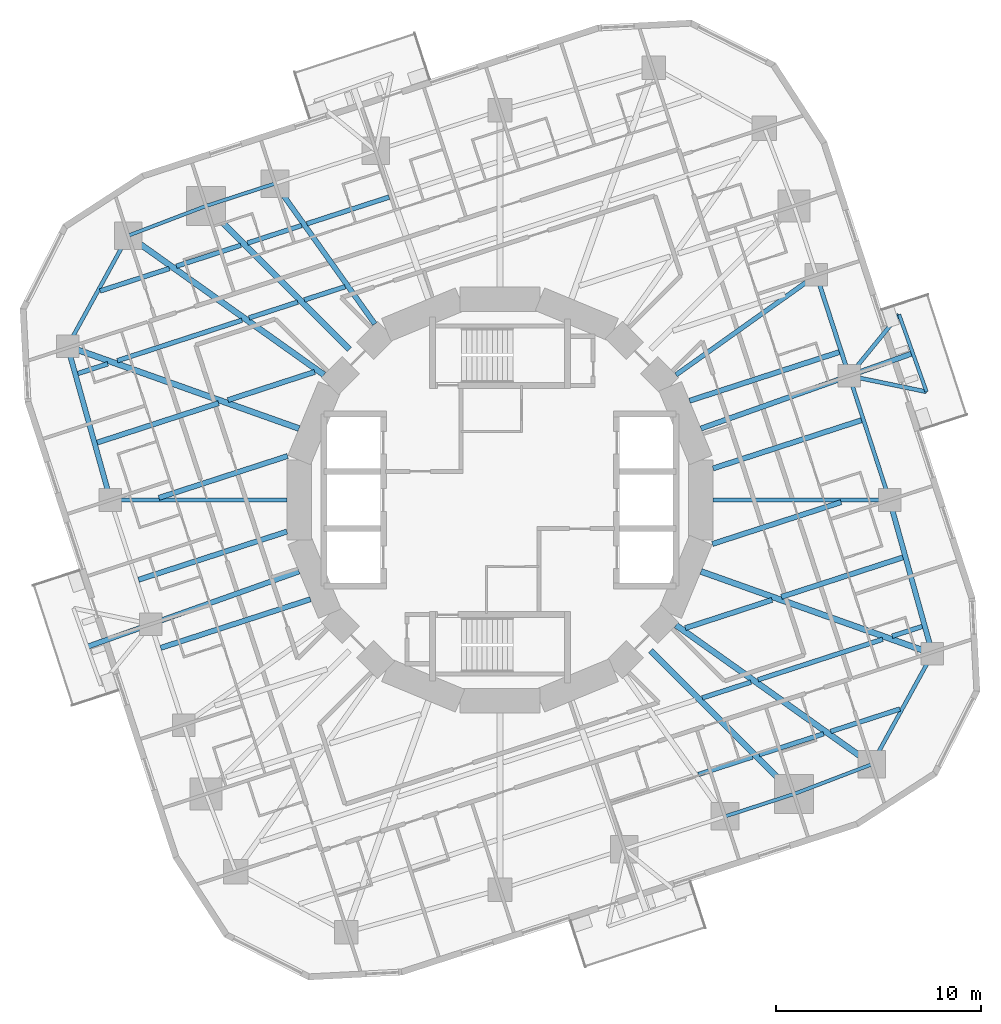
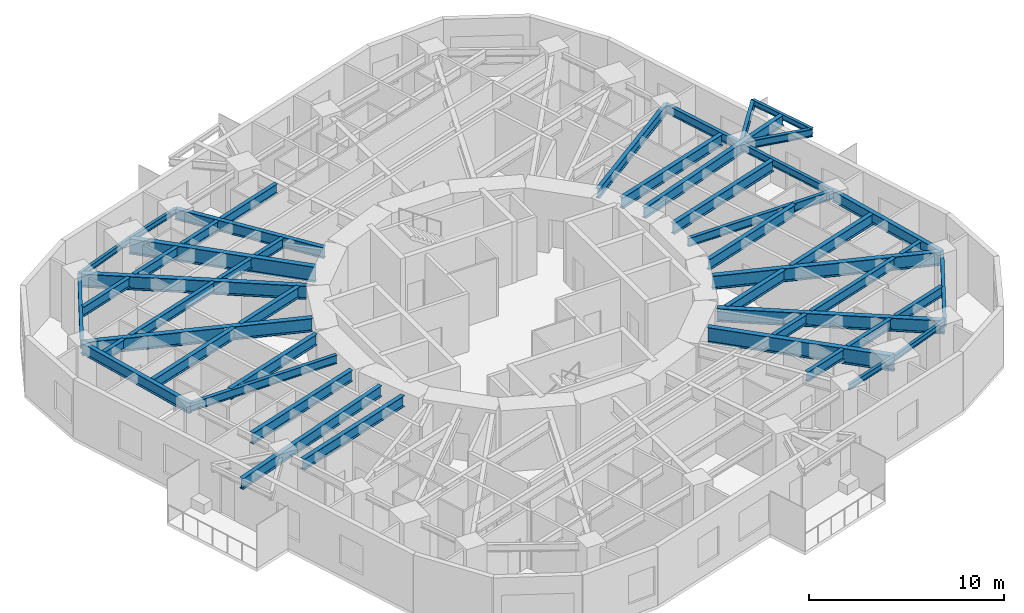
# One storey, part 2 of 13: 49 beams.
"""IFC4 building model written with IfcOpenShell, lengths in metres."""

from ifc_helpers import new_model, si_unit, direction, frame, origin, origin_2d, place, context, subcontext, project, spatial, i_section, extrude, material, material_profile, profile_set, type_object, element, save


model = new_model("IFC4")

# Units and contexts
model_context = context("Model", 3, precision=1e-05, world=origin(), true_north=direction((0.0, 1.0)))
body_context = subcontext(model_context, "Body", "Model", "MODEL_VIEW")
ifc_project = project(units=[si_unit("LENGTHUNIT", "METRE"), si_unit("AREAUNIT", "SQUARE_METRE"), si_unit("VOLUMEUNIT", "CUBIC_METRE"), si_unit("PLANEANGLEUNIT", "RADIAN"), si_unit("MASSUNIT", "GRAM", prefix="KILO")], contexts=[model_context])

# Site, building, storey
site_placement = place(None, origin())
site = spatial("IfcSite", under=ifc_project, at=site_placement, CompositionType="ELEMENT")
building_placement = place(site_placement, origin())
building = spatial("IfcBuilding", under=site, at=building_placement, Name="Nakasero Lantern House", CompositionType="ELEMENT")
storey_placement = place(building_placement, frame((0.0, 0.0, 157.199951171875)))
storey = spatial("IfcBuildingStorey", under=building, at=storey_placement, Name="L38", CompositionType="ELEMENT", Elevation=157.199951171875)

# Beams
ifc_material_1 = material(Name="Steel S355", Category="steel")
ifc_material_profile_1 = material_profile(ifc_material_1, i_section(OverallWidth=0.199462890625, OverallDepth=0.491943359375, WebThickness=0.01806640625, FlangeThickness=0.031982421875, FilletRadius=0.01025390625, at=origin_2d()), Name="UB 457x191x161")
ifc_profile_set_1 = profile_set([ifc_material_profile_1], Name="Steel S355")
beam_type_1 = type_object("IfcBeamType", Name="Balcony splay beam UB 457x191x161", PredefinedType="BEAM", material=ifc_profile_set_1)
for number, where, z_axis, x_axis, name in (
    (1, (17.060546875, 6.06591796875, 3.404052734375), (0.632127727159, 0.774864205236, 0.0), (-0.774864205236, 0.632127727159, 0.0), "Balcony splay beam L39 B4-C04A"),
    (2, (17.060546875, 6.06591796875, 3.404052734375), (0.979420272605, -0.201831438605, 0.0), (0.201831438605, 0.979420272605, 0.0), "Balcony splay beam L39 B4-C04B"),
):
    element("IfcBeam", number, at=place(storey_placement, frame(where, z_axis=z_axis, x_axis=x_axis)), inside=storey, type_object=beam_type_1, Name=name, PredefinedType="BEAM", context=body_context, shape_type="SweptSolid", body=[
        extrude(i_section(OverallWidth=0.199462890625, OverallDepth=0.491943359375, WebThickness=0.01806640625, FlangeThickness=0.031982421875, FilletRadius=0.01025390625, at=origin_2d()), origin(), (0.0, 0.0, 1.0), 3.858642578125),
    ])
ifc_material_2 = material(Name="Steel S355", Category="steel")
ifc_material_profile_2 = material_profile(ifc_material_2, i_section(OverallWidth=0.17138671875, OverallDepth=0.35498046875, WebThickness=0.00732421875, FlangeThickness=0.011474609375, FilletRadius=0.01025390625, at=origin_2d()), Name="UB 356x171x51")
ifc_profile_set_2 = profile_set([ifc_material_profile_2], Name="Steel S355")
beam_type_2 = type_object("IfcBeamType", Name="Balcony tie beam UB 356x171x51", PredefinedType="BEAM", material=ifc_profile_set_2)
beam_1_placement = place(storey_placement, frame((19.499755859375, 9.055908203125, 3.47265625), z_axis=(0.335025321236, -0.942209124415, 0.0), x_axis=(0.942209124415, 0.335025321236, 0.0)))
element("IfcBeam", 3, at=beam_1_placement, inside=storey, type_object=beam_type_2, Name="Balcony tie beam L39 B4-C04", PredefinedType="BEAM", context=body_context, shape_type="SweptSolid", body=[
    extrude(i_section(OverallWidth=0.17138671875, OverallDepth=0.35498046875, WebThickness=0.00732421875, FlangeThickness=0.011474609375, FilletRadius=0.01025390625, at=origin_2d()), origin(), (0.0, 0.0, 1.0), 4.0),
])
ifc_material_3 = material(Name="Steel S355", Category="steel")
ifc_material_profile_3 = material_profile(ifc_material_3, i_section(OverallWidth=0.22900390625, OverallDepth=0.6123046875, WebThickness=0.011962890625, FlangeThickness=0.01953125, FilletRadius=0.0126953125, at=origin_2d()), Name="UB 610x229x125")
ifc_profile_set_3 = profile_set([ifc_material_profile_3], Name="Steel S355")
beam_type_3 = type_object("IfcBeamType", Name="Infill beam UB 610x229x125", PredefinedType="JOIST", material=ifc_profile_set_3)
beam_2_placement = place(storey_placement, frame((9.692626953125, -13.4111328125, 3.343994140625), z_axis=(0.951059855583, 0.309006716915, 0.0), x_axis=(-0.309006716915, 0.951059855583, 0.0)))
element("IfcBeam", 4, at=beam_2_placement, inside=storey, type_object=beam_type_3, Name="Infill beam L39 03.5", PredefinedType="JOIST", context=body_context, shape_type="SweptSolid", body=[
    extrude(i_section(OverallWidth=0.22900390625, OverallDepth=0.6123046875, WebThickness=0.011962890625, FlangeThickness=0.01953125, FilletRadius=0.0126953125, at=origin_2d()), origin(), (0.0, 0.0, 1.0), 2.78271484375),
])
beam_3_placement = place(storey_placement, frame((12.659423828125, -12.447265625, 3.343994140625), z_axis=(0.951057343237, 0.309014449297, 0.0), x_axis=(-0.309014449297, 0.951057343237, 0.0)))
element("IfcBeam", 5, at=beam_3_placement, inside=storey, type_object=beam_type_3, Name="Infill beam L39 03.6", PredefinedType="JOIST", context=body_context, shape_type="SweptSolid", body=[
    extrude(i_section(OverallWidth=0.22900390625, OverallDepth=0.6123046875, WebThickness=0.011962890625, FlangeThickness=0.01953125, FilletRadius=0.0126953125, at=origin_2d()), origin(), (0.0, 0.0, 1.0), 3.314208984375),
])
beam_4_placement = place(storey_placement, frame((16.15771484375, -11.310546875, 3.343994140625), z_axis=(0.951052231022, 0.309030182777, 0.0), x_axis=(-0.309030182777, 0.951052231022, 0.0)))
element("IfcBeam", 6, at=beam_4_placement, inside=storey, type_object=beam_type_3, Name="Infill beam L39 03.7", PredefinedType="JOIST", context=body_context, shape_type="SweptSolid", body=[
    extrude(i_section(OverallWidth=0.22900390625, OverallDepth=0.6123046875, WebThickness=0.011962890625, FlangeThickness=0.01953125, FilletRadius=0.0126953125, at=origin_2d()), origin(), (0.0, 0.0, 1.0), 3.555908203125),
])
beam_5_placement = place(storey_placement, frame((9.8818359375, -9.669677734375, 3.343994140625), z_axis=(0.95105846813, 0.30901098718, 0.0), x_axis=(-0.30901098718, 0.95105846813, 0.0)))
element("IfcBeam", 7, at=beam_5_placement, inside=storey, type_object=beam_type_3, Name="Infill beam L39 04.6", PredefinedType="JOIST", context=body_context, shape_type="SweptSolid", body=[
    extrude(i_section(OverallWidth=0.22900390625, OverallDepth=0.6123046875, WebThickness=0.011962890625, FlangeThickness=0.01953125, FilletRadius=0.0126953125, at=origin_2d()), origin(), (0.0, 0.0, 1.0), 2.499755859375),
])
beam_6_placement = place(storey_placement, frame((12.605712890625, -8.78466796875, 3.343994140625), z_axis=(0.951048625867, 0.309041277561, 0.0), x_axis=(-0.309041277561, 0.951048625867, 0.0)))
element("IfcBeam", 8, at=beam_6_placement, inside=storey, type_object=beam_type_3, Name="Infill beam L39 04.7", PredefinedType="JOIST", context=body_context, shape_type="SweptSolid", body=[
    extrude(i_section(OverallWidth=0.22900390625, OverallDepth=0.6123046875, WebThickness=0.011962890625, FlangeThickness=0.01953125, FilletRadius=0.0126953125, at=origin_2d()), origin(), (0.0, 0.0, 1.0), 6.408447265625),
])
for number, where, z_axis, x_axis, name in (
    (9, (19.156494140625, -6.656005859375, 3.343994140625), (0.95105845859, 0.309011016544, 0.0), (-0.309011016544, 0.95105845859, 0.0), "Infill beam L39 04.8"),
    (10, (-20.62548828125, 6.1787109375, 3.343994140625), (0.95105845859, 0.309011016544, 0.0), (-0.309011016544, 0.95105845859, 0.0), "Infill beam L39 11.1"),
):
    element("IfcBeam", number, at=place(storey_placement, frame(where, z_axis=z_axis, x_axis=x_axis)), inside=storey, type_object=beam_type_3, Name=name, PredefinedType="JOIST", context=body_context, shape_type="SweptSolid", body=[
        extrude(i_section(OverallWidth=0.22900390625, OverallDepth=0.6123046875, WebThickness=0.011962890625, FlangeThickness=0.01953125, FilletRadius=0.0126953125, at=origin_2d()), origin(), (0.0, 0.0, 1.0), 1.544677734375),
    ])
beam_7_placement = place(storey_placement, frame((-18.700439453125, 6.80419921875, 3.343994140625), z_axis=(0.951048625867, 0.309041277561, 0.0), x_axis=(-0.309041277561, 0.951048625867, 0.0)))
element("IfcBeam", 11, at=beam_7_placement, inside=storey, type_object=beam_type_3, Name="Infill beam L39 11.2", PredefinedType="JOIST", context=body_context, shape_type="SweptSolid", body=[
    extrude(i_section(OverallWidth=0.22900390625, OverallDepth=0.6123046875, WebThickness=0.011962890625, FlangeThickness=0.01953125, FilletRadius=0.0126953125, at=origin_2d()), origin(), (0.0, 0.0, 1.0), 6.408447265625),
])
beam_8_placement = place(storey_placement, frame((-12.25927734375, 8.897216796875, 3.343994140625), z_axis=(0.95105846813, 0.30901098718, 0.0), x_axis=(-0.30901098718, 0.95105846813, 0.0)))
element("IfcBeam", 12, at=beam_8_placement, inside=storey, type_object=beam_type_3, Name="Infill beam L39 11.3", PredefinedType="JOIST", context=body_context, shape_type="SweptSolid", body=[
    extrude(i_section(OverallWidth=0.22900390625, OverallDepth=0.6123046875, WebThickness=0.011962890625, FlangeThickness=0.01953125, FilletRadius=0.0126953125, at=origin_2d()), origin(), (0.0, 0.0, 1.0), 2.499755859375),
])
beam_9_placement = place(storey_placement, frame((-9.5615234375, 9.773681640625, 3.343994140625), z_axis=(0.951053739923, 0.30902553904, 0.0), x_axis=(-0.30902553904, 0.951053739923, 0.0)))
element("IfcBeam", 13, at=beam_9_placement, inside=storey, type_object=beam_type_3, Name="Infill beam L39 11.4", PredefinedType="JOIST", context=body_context, shape_type="SweptSolid", body=[
    extrude(i_section(OverallWidth=0.22900390625, OverallDepth=0.6123046875, WebThickness=0.011962890625, FlangeThickness=0.01953125, FilletRadius=0.0126953125, at=origin_2d()), origin(), (0.0, 0.0, 1.0), 2.09765625),
])
beam_10_placement = place(storey_placement, frame((-19.53955078125, 10.211669921875, 3.343994140625), z_axis=(0.951052231022, 0.309030182777, 0.0), x_axis=(-0.309030182777, 0.951052231022, 0.0)))
element("IfcBeam", 14, at=beam_10_placement, inside=storey, type_object=beam_type_3, Name="Infill beam L39 12.1", PredefinedType="JOIST", context=body_context, shape_type="SweptSolid", body=[
    extrude(i_section(OverallWidth=0.22900390625, OverallDepth=0.6123046875, WebThickness=0.011962890625, FlangeThickness=0.01953125, FilletRadius=0.0126953125, at=origin_2d()), origin(), (0.0, 0.0, 1.0), 3.555908203125),
])
beam_11_placement = place(storey_placement, frame((-15.8115234375, 11.423095703125, 3.343994140625), z_axis=(0.951057343237, 0.309014449297, 0.0), x_axis=(-0.309014449297, 0.951057343237, 0.0)))
element("IfcBeam", 15, at=beam_11_placement, inside=storey, type_object=beam_type_3, Name="Infill beam L39 12.2", PredefinedType="JOIST", context=body_context, shape_type="SweptSolid", body=[
    extrude(i_section(OverallWidth=0.22900390625, OverallDepth=0.6123046875, WebThickness=0.011962890625, FlangeThickness=0.01953125, FilletRadius=0.0126953125, at=origin_2d()), origin(), (0.0, 0.0, 1.0), 3.314208984375),
])
beam_12_placement = place(storey_placement, frame((-12.339111328125, 12.55126953125, 3.343994140625), z_axis=(0.951059855583, 0.309006716915, 0.0), x_axis=(-0.309006716915, 0.951059855583, 0.0)))
element("IfcBeam", 16, at=beam_12_placement, inside=storey, type_object=beam_type_3, Name="Infill beam L39 12.3", PredefinedType="JOIST", context=body_context, shape_type="SweptSolid", body=[
    extrude(i_section(OverallWidth=0.22900390625, OverallDepth=0.6123046875, WebThickness=0.011962890625, FlangeThickness=0.01953125, FilletRadius=0.0126953125, at=origin_2d()), origin(), (0.0, 0.0, 1.0), 2.78271484375),
])
beam_13_placement = place(storey_placement, frame((-9.439697265625, 13.493408203125, 3.343994140625), z_axis=(0.951057398427, 0.30901427944, 0.0), x_axis=(-0.30901427944, 0.951057398427, 0.0)))
element("IfcBeam", 17, at=beam_13_placement, inside=storey, type_object=beam_type_3, Name="Infill beam L39 12.4", PredefinedType="JOIST", context=body_context, shape_type="SweptSolid", body=[
    extrude(i_section(OverallWidth=0.22900390625, OverallDepth=0.6123046875, WebThickness=0.011962890625, FlangeThickness=0.01953125, FilletRadius=0.0126953125, at=origin_2d()), origin(), (0.0, 0.0, 1.0), 4.229248046875),
])
ifc_material_4 = material(Name="Steel S355", Category="steel")
ifc_material_profile_4 = material_profile(ifc_material_4, i_section(OverallWidth=0.253662109375, OverallDepth=0.68359375, WebThickness=0.012451171875, FlangeThickness=0.01904296875, FilletRadius=0.01513671875, at=origin_2d()), Name="UB 686x254x140")
ifc_profile_set_4 = profile_set([ifc_material_profile_4], Name="Steel S355")
beam_type_4 = type_object("IfcBeamType", Name="Infill beam UB 686x254x140", PredefinedType="JOIST", material=ifc_profile_set_4)
beam_14_placement = place(storey_placement, frame((9.053466796875, -6.258544921875, 3.308349609375), z_axis=(0.951065863794, 0.308988224251, 0.0), x_axis=(-0.308988224251, 0.951065863794, 0.0)))
element("IfcBeam", 18, at=beam_14_placement, inside=storey, type_object=beam_type_4, Name="Infill beam L39 05.3", PredefinedType="JOIST", context=body_context, shape_type="SweptSolid", body=[
    extrude(i_section(OverallWidth=0.253662109375, OverallDepth=0.68359375, WebThickness=0.012451171875, FlangeThickness=0.01904296875, FilletRadius=0.01513671875, at=origin_2d()), origin(), (0.0, 0.0, 1.0), 4.45703125),
])
beam_15_placement = place(storey_placement, frame((13.74853515625, -4.733154296875, 3.308349609375), z_axis=(0.951058217804, 0.30901175762, 0.0), x_axis=(-0.30901175762, 0.951058217804, 0.0)))
element("IfcBeam", 19, at=beam_15_placement, inside=storey, type_object=beam_type_4, Name="Infill beam L39 05.4", PredefinedType="JOIST", context=body_context, shape_type="SweptSolid", body=[
    extrude(i_section(OverallWidth=0.253662109375, OverallDepth=0.68359375, WebThickness=0.012451171875, FlangeThickness=0.01904296875, FilletRadius=0.01513671875, at=origin_2d()), origin(), (0.0, 0.0, 1.0), 6.239990234375),
])
for number, where, z_axis, x_axis, name in (
    (20, (10.375244140625, -2.149169921875, 3.308349609375), (0.951051425994, 0.309032660271, 0.0), (-0.309032660271, 0.951051425994, 0.0), "Infill beam L39 06.2"),
    (21, (-16.666259765625, 0.10498046875, 3.308349609375), (0.951051425994, 0.309032660271, 0.0), (-0.309032660271, 0.951051425994, 0.0), "Infill beam L39 09.1"),
):
    element("IfcBeam", number, at=place(storey_placement, frame(where, z_axis=z_axis, x_axis=x_axis)), inside=storey, type_object=beam_type_4, Name=name, PredefinedType="JOIST", context=body_context, shape_type="SweptSolid", body=[
        extrude(i_section(OverallWidth=0.253662109375, OverallDepth=0.68359375, WebThickness=0.012451171875, FlangeThickness=0.01904296875, FilletRadius=0.01513671875, at=origin_2d()), origin(), (0.0, 0.0, 1.0), 6.61474609375),
    ])
beam_16_placement = place(storey_placement, frame((-19.68310546875, 2.804931640625, 3.308349609375), z_axis=(0.951058217804, 0.30901175762, 0.0), x_axis=(-0.30901175762, 0.951058217804, 0.0)))
element("IfcBeam", 22, at=beam_16_placement, inside=storey, type_object=beam_type_4, Name="Infill beam L39 10.1", PredefinedType="JOIST", context=body_context, shape_type="SweptSolid", body=[
    extrude(i_section(OverallWidth=0.253662109375, OverallDepth=0.68359375, WebThickness=0.012451171875, FlangeThickness=0.01904296875, FilletRadius=0.01513671875, at=origin_2d()), origin(), (0.0, 0.0, 1.0), 6.239990234375),
])
beam_17_placement = place(storey_placement, frame((-13.29248046875, 4.88134765625, 3.308349609375), z_axis=(0.951065863794, 0.308988224251, 0.0), x_axis=(-0.308988224251, 0.951065863794, 0.0)))
element("IfcBeam", 23, at=beam_17_placement, inside=storey, type_object=beam_type_4, Name="Infill beam L39 10.2", PredefinedType="JOIST", context=body_context, shape_type="SweptSolid", body=[
    extrude(i_section(OverallWidth=0.253662109375, OverallDepth=0.68359375, WebThickness=0.012451171875, FlangeThickness=0.01904296875, FilletRadius=0.01513671875, at=origin_2d()), origin(), (0.0, 0.0, 1.0), 4.45703125),
])
ifc_material_5 = material(Name="Steel S355", Category="steel")
ifc_material_profile_5 = material_profile(ifc_material_5, i_section(OverallWidth=0.255859375, OverallDepth=0.69287109375, WebThickness=0.014404296875, FlangeThickness=0.023681640625, FilletRadius=0.01513671875, at=origin_2d()), Name="UB 686x254x170")
ifc_profile_set_5 = profile_set([ifc_material_profile_5], Name="Steel S355")
beam_type_5 = type_object("IfcBeamType", Name="Infill beam UB 686x254x170", PredefinedType="JOIST", material=ifc_profile_set_5)
beam_18_placement = place(storey_placement, frame((-16.573486328125, -7.22509765625, 3.3037109375), z_axis=(0.951055290106, 0.309020768171, 0.0), x_axis=(-0.309020768171, 0.951055290106, 0.0)))
element("IfcBeam", 24, at=beam_18_placement, inside=storey, type_object=beam_type_5, Name="Infill beam L39 07.1", PredefinedType="JOIST", context=body_context, shape_type="SweptSolid", body=[
    extrude(i_section(OverallWidth=0.255859375, OverallDepth=0.69287109375, WebThickness=0.014404296875, FlangeThickness=0.023681640625, FilletRadius=0.01513671875, at=origin_2d()), origin(), (0.0, 0.0, 1.0), 7.692626953125),
])
for number, where, z_axis, x_axis, name in (
    (25, (10.407958984375, 1.541748046875, 3.3037109375), (0.95106204683, 0.308999972622, 0.0), (-0.308999972622, 0.95106204683, 0.0), "Infill beam L39 07.2"),
    (26, (-17.66455078125, -3.8994140625, 3.3037109375), (0.95106204683, 0.308999972622, 0.0), (-0.308999972622, 0.95106204683, 0.0), "Infill beam L39 08.1"),
):
    element("IfcBeam", number, at=place(storey_placement, frame(where, z_axis=z_axis, x_axis=x_axis)), inside=storey, type_object=beam_type_5, Name=name, PredefinedType="JOIST", context=body_context, shape_type="SweptSolid", body=[
        extrude(i_section(OverallWidth=0.255859375, OverallDepth=0.69287109375, WebThickness=0.014404296875, FlangeThickness=0.023681640625, FilletRadius=0.01513671875, at=origin_2d()), origin(), (0.0, 0.0, 1.0), 7.6298828125),
    ])
beam_19_placement = place(storey_placement, frame((9.25732421875, 4.847900390625, 3.3037109375), z_axis=(0.951055290106, 0.309020768171, 0.0), x_axis=(-0.309020768171, 0.951055290106, 0.0)))
element("IfcBeam", 27, at=beam_19_placement, inside=storey, type_object=beam_type_5, Name="Infill beam L39 08.2", PredefinedType="JOIST", context=body_context, shape_type="SweptSolid", body=[
    extrude(i_section(OverallWidth=0.255859375, OverallDepth=0.69287109375, WebThickness=0.014404296875, FlangeThickness=0.023681640625, FilletRadius=0.01513671875, at=origin_2d()), origin(), (0.0, 0.0, 1.0), 7.692626953125),
])
ifc_material_6 = material(Name="Steel S355", Category="steel")
ifc_material_profile_6 = material_profile(ifc_material_6, i_section(OverallWidth=0.300048828125, OverallDepth=0.97021484375, WebThickness=0.01611328125, FlangeThickness=0.02099609375, FilletRadius=0.030029296875, at=origin_2d()), Name="UB 1016x305x222")
ifc_profile_set_6 = profile_set([ifc_material_profile_6], Name="Steel S355")
beam_type_6 = type_object("IfcBeamType", Name="Primary beam UB 1016x305x222, span 9 to 12 m", PredefinedType="BEAM", material=ifc_profile_set_6)
for number, where, z_axis, x_axis, name in (
    (28, (-14.3642578125, 14.3642578125, 3.164794921875), (0.707106781187, -0.707106781187, 0.0), (0.707106781187, 0.707106781187, 0.0), "Primary beam L39 B4-C12"),
    (29, (14.3642578125, -14.3642578125, 3.164794921875), (-0.707106781187, 0.707106781187, 0.0), (-0.707106781187, -0.707106781187, 0.0), "Primary beam L39 B4-C24"),
):
    element("IfcBeam", number, at=place(storey_placement, frame(where, z_axis=z_axis, x_axis=x_axis)), inside=storey, type_object=beam_type_6, Name=name, PredefinedType="BEAM", context=body_context, shape_type="SweptSolid", body=[
        extrude(i_section(OverallWidth=0.300048828125, OverallDepth=0.97021484375, WebThickness=0.01611328125, FlangeThickness=0.02099609375, FilletRadius=0.030029296875, at=origin_2d()), origin(), (0.0, 0.0, 1.0), 9.906494140625),
    ])
ifc_material_7 = material(Name="Steel S355", Category="steel")
ifc_material_profile_7 = material_profile(ifc_material_7, i_section(OverallWidth=0.2099609375, OverallDepth=0.53662109375, WebThickness=0.0107421875, FlangeThickness=0.017333984375, FilletRadius=0.0126953125, at=origin_2d()), Name="UB 533x210x101")
ifc_profile_set_7 = profile_set([ifc_material_profile_7], Name="Steel S355")
beam_type_7 = type_object("IfcBeamType", Name="Primary beam UB 533x210x101, span 6 to 9 m", PredefinedType="BEAM", material=ifc_profile_set_7)
for number, where, z_axis, x_axis, name in (
    (30, (19.031494140625, 0.0, 3.381591796875), (-1.0, 0.0, 0.0), (0.0, -1.0, 0.0), "Primary beam L39 B4-C03"),
    (31, (-19.031494140625, 0.0, 3.381591796875), (1.0, 0.0, 0.0), (0.0, 1.0, 0.0), "Primary beam L39 B4-C15"),
):
    element("IfcBeam", number, at=place(storey_placement, frame(where, z_axis=z_axis, x_axis=x_axis)), inside=storey, type_object=beam_type_7, Name=name, PredefinedType="BEAM", context=body_context, shape_type="SweptSolid", body=[
        extrude(i_section(OverallWidth=0.2099609375, OverallDepth=0.53662109375, WebThickness=0.0107421875, FlangeThickness=0.017333984375, FilletRadius=0.0126953125, at=origin_2d()), origin(), (0.0, 0.0, 1.0), 8.62353515625),
    ])
ifc_material_8 = material(Name="Steel S355", Category="steel")
ifc_material_profile_8 = material_profile(ifc_material_8, i_section(OverallWidth=0.22900390625, OverallDepth=0.6123046875, WebThickness=0.011962890625, FlangeThickness=0.01953125, FilletRadius=0.0126953125, at=origin_2d()), Name="UB 610x229x125")
ifc_profile_set_8 = profile_set([ifc_material_profile_8], Name="Steel S355")
beam_type_8 = type_object("IfcBeamType", Name="Primary beam UB 610x229x125, span 6 to 9 m", PredefinedType="BEAM", material=ifc_profile_set_8)
beam_20_placement = place(storey_placement, frame((15.45947265625, 10.993408203125, 3.343994140625), z_axis=(-0.81495106139, -0.579529781409, 0.0), x_axis=(0.579529781409, -0.81495106139, 0.0)))
element("IfcBeam", 32, at=beam_20_placement, inside=storey, type_object=beam_type_8, Name="Primary beam L39 B4-C05", PredefinedType="BEAM", context=body_context, shape_type="SweptSolid", body=[
    extrude(i_section(OverallWidth=0.22900390625, OverallDepth=0.6123046875, WebThickness=0.011962890625, FlangeThickness=0.01953125, FilletRadius=0.0126953125, at=origin_2d()), origin(), (0.0, 0.0, 1.0), 8.41455078125),
])
ifc_material_9 = material(Name="Steel S355", Category="steel")
ifc_material_profile_9 = material_profile(ifc_material_9, i_section(OverallWidth=0.253662109375, OverallDepth=0.68359375, WebThickness=0.012451171875, FlangeThickness=0.01904296875, FilletRadius=0.01513671875, at=origin_2d()), Name="UB 686x254x140")
ifc_profile_set_9 = profile_set([ifc_material_profile_9], Name="Steel S355")
beam_type_9 = type_object("IfcBeamType", Name="Primary beam UB 686x254x140, span 6 to 9 m", PredefinedType="BEAM", material=ifc_profile_set_9)
beam_21_placement = place(storey_placement, frame((20.169921875, 7.17138671875, 3.308349609375), z_axis=(-0.942215625619, -0.335007036998, 0.0), x_axis=(0.335007036998, -0.942215625619, 0.0)))
element("IfcBeam", 33, at=beam_21_placement, inside=storey, type_object=beam_type_9, Name="Primary beam L39 B4-C04", PredefinedType="BEAM", context=body_context, shape_type="SweptSolid", body=[
    extrude(i_section(OverallWidth=0.253662109375, OverallDepth=0.68359375, WebThickness=0.012451171875, FlangeThickness=0.01904296875, FilletRadius=0.01513671875, at=origin_2d()), origin(), (0.0, 0.0, 1.0), 10.9853515625),
])
beam_22_placement = place(storey_placement, frame((-10.993408203125, 15.45947265625, 3.308349609375), z_axis=(0.579529781409, -0.81495106139, 0.0), x_axis=(0.81495106139, 0.579529781409, 0.0)))
element("IfcBeam", 34, at=beam_22_placement, inside=storey, type_object=beam_type_9, Name="Primary beam L39 B4-C11", PredefinedType="BEAM", context=body_context, shape_type="SweptSolid", body=[
    extrude(i_section(OverallWidth=0.253662109375, OverallDepth=0.68359375, WebThickness=0.012451171875, FlangeThickness=0.01904296875, FilletRadius=0.01513671875, at=origin_2d()), origin(), (0.0, 0.0, 1.0), 8.41455078125),
])
beam_23_placement = place(storey_placement, frame((-20.169921875, -7.17138671875, 3.308349609375), z_axis=(0.942215625619, 0.335007036998, 0.0), x_axis=(-0.335007036998, 0.942215625619, 0.0)))
element("IfcBeam", 35, at=beam_23_placement, inside=storey, type_object=beam_type_9, Name="Primary beam L39 B4-C16", PredefinedType="BEAM", context=body_context, shape_type="SweptSolid", body=[
    extrude(i_section(OverallWidth=0.253662109375, OverallDepth=0.68359375, WebThickness=0.012451171875, FlangeThickness=0.01904296875, FilletRadius=0.01513671875, at=origin_2d()), origin(), (0.0, 0.0, 1.0), 10.9853515625),
])
ifc_material_10 = material(Name="Steel S355", Category="steel")
ifc_material_profile_10 = material_profile(ifc_material_10, i_section(OverallWidth=0.29248046875, OverallDepth=0.8408203125, WebThickness=0.0146484375, FlangeThickness=0.02685546875, FilletRadius=0.017822265625, at=origin_2d()), Name="UB 838x292x194")
ifc_profile_set_10 = profile_set([ifc_material_profile_10], Name="Steel S355")
beam_type_10 = type_object("IfcBeamType", Name="Primary beam UB 838x292x194, span 12 to 15 m", PredefinedType="BEAM", material=ifc_profile_set_10)
for number, where, z_axis, x_axis, name in (
    (36, (21.129638671875, -7.5126953125, 3.229736328125), (-0.942213548974, 0.335012877559, 0.0), (-0.335012877559, -0.942213548974, 0.0), "Primary beam L39 B4-C02"),
    (37, (-21.129638671875, 7.5126953125, 3.229736328125), (0.942213548974, -0.335012877559, 0.0), (0.335012877559, 0.942213548974, 0.0), "Primary beam L39 B4-C14"),
):
    element("IfcBeam", number, at=place(storey_placement, frame(where, z_axis=z_axis, x_axis=x_axis)), inside=storey, type_object=beam_type_10, Name=name, PredefinedType="BEAM", context=body_context, shape_type="SweptSolid", body=[
        extrude(i_section(OverallWidth=0.29248046875, OverallDepth=0.8408203125, WebThickness=0.0146484375, FlangeThickness=0.02685546875, FilletRadius=0.017822265625, at=origin_2d()), origin(), (0.0, 0.0, 1.0), 12.00390625),
    ])
ifc_material_11 = material(Name="Steel S355", Category="steel")
ifc_material_profile_11 = material_profile(ifc_material_11, i_section(OverallWidth=0.29248046875, OverallDepth=0.8408203125, WebThickness=0.0146484375, FlangeThickness=0.02685546875, FilletRadius=0.017822265625, at=origin_2d()), Name="UB 838x292x194")
ifc_profile_set_11 = profile_set([ifc_material_profile_11], Name="Steel S355")
beam_type_11 = type_object("IfcBeamType", Name="Primary beam UB 838x292x194, span 9 to 12 m", PredefinedType="BEAM", material=ifc_profile_set_11)
for number, where, z_axis, x_axis, name in (
    (38, (18.1630859375, -12.916015625, 3.229736328125), (-0.814950738075, 0.579530236062, 0.0), (-0.579530236062, -0.814950738075, 0.0), "Primary beam L39 B4-C01"),
    (39, (-18.1630859375, 12.916015625, 3.229736328125), (0.814950738075, -0.579530236062, 0.0), (0.579530236062, 0.814950738075, 0.0), "Primary beam L39 B4-C13"),
):
    element("IfcBeam", number, at=place(storey_placement, frame(where, z_axis=z_axis, x_axis=x_axis)), inside=storey, type_object=beam_type_11, Name=name, PredefinedType="BEAM", context=body_context, shape_type="SweptSolid", body=[
        extrude(i_section(OverallWidth=0.29248046875, OverallDepth=0.8408203125, WebThickness=0.0146484375, FlangeThickness=0.02685546875, FilletRadius=0.017822265625, at=origin_2d()), origin(), (0.0, 0.0, 1.0), 11.73193359375),
    ])
ifc_material_12 = material(Name="Steel S355", Category="steel")
ifc_material_profile_12 = material_profile(ifc_material_12, i_section(OverallWidth=0.17138671875, OverallDepth=0.35498046875, WebThickness=0.00732421875, FlangeThickness=0.011474609375, FilletRadius=0.01025390625, at=origin_2d()), Name="UB 356x171x51")
ifc_profile_set_12 = profile_set([ifc_material_profile_12], Name="Steel S355")
beam_type_12 = type_object("IfcBeamType", Name="Ring beam UB 356x171x51", PredefinedType="BEAM", material=ifc_profile_set_12)
beam_24_placement = place(storey_placement, frame((-10.993408203125, 15.45947265625, 3.47265625), z_axis=(-0.951059881727, -0.309006636447, 0.0), x_axis=(0.309006636447, -0.951059881727, 0.0)))
element("IfcBeam", 40, at=beam_24_placement, inside=storey, type_object=beam_type_12, Name="Ring beam L39 B4-C11", PredefinedType="BEAM", context=body_context, shape_type="SweptSolid", body=[
    extrude(i_section(OverallWidth=0.17138671875, OverallDepth=0.35498046875, WebThickness=0.00732421875, FlangeThickness=0.011474609375, FilletRadius=0.01025390625, at=origin_2d()), origin(), (0.0, 0.0, 1.0), 3.544189453125),
])
beam_25_placement = place(storey_placement, frame((-14.3642578125, 14.3642578125, 3.47265625), z_axis=(-0.934400186194, -0.35622505813, 0.0), x_axis=(0.35622505813, -0.934400186194, 0.0)))
element("IfcBeam", 41, at=beam_25_placement, inside=storey, type_object=beam_type_12, Name="Ring beam L39 B4-C12", PredefinedType="BEAM", context=body_context, shape_type="SweptSolid", body=[
    extrude(i_section(OverallWidth=0.17138671875, OverallDepth=0.35498046875, WebThickness=0.00732421875, FlangeThickness=0.011474609375, FilletRadius=0.01025390625, at=origin_2d()), origin(), (0.0, 0.0, 1.0), 4.0654296875),
])
beam_26_placement = place(storey_placement, frame((10.993408203125, -15.45947265625, 3.47265625), z_axis=(0.951059881727, 0.309006636447, 0.0), x_axis=(-0.309006636447, 0.951059881727, 0.0)))
element("IfcBeam", 42, at=beam_26_placement, inside=storey, type_object=beam_type_12, Name="Ring beam L39 B4-C23", PredefinedType="BEAM", context=body_context, shape_type="SweptSolid", body=[
    extrude(i_section(OverallWidth=0.17138671875, OverallDepth=0.35498046875, WebThickness=0.00732421875, FlangeThickness=0.011474609375, FilletRadius=0.01025390625, at=origin_2d()), origin(), (0.0, 0.0, 1.0), 3.544189453125),
])
beam_27_placement = place(storey_placement, frame((14.3642578125, -14.3642578125, 3.47265625), z_axis=(0.934400186194, 0.35622505813, 0.0), x_axis=(-0.35622505813, 0.934400186194, 0.0)))
element("IfcBeam", 43, at=beam_27_placement, inside=storey, type_object=beam_type_12, Name="Ring beam L39 B4-C24", PredefinedType="BEAM", context=body_context, shape_type="SweptSolid", body=[
    extrude(i_section(OverallWidth=0.17138671875, OverallDepth=0.35498046875, WebThickness=0.00732421875, FlangeThickness=0.011474609375, FilletRadius=0.01025390625, at=origin_2d()), origin(), (0.0, 0.0, 1.0), 4.0654296875),
])
ifc_material_13 = material(Name="Steel S355", Category="steel")
ifc_material_profile_13 = material_profile(ifc_material_13, i_section(OverallWidth=0.18994140625, OverallDepth=0.453369140625, WebThickness=0.008544921875, FlangeThickness=0.0126953125, FilletRadius=0.01025390625, at=origin_2d()), Name="UB 457x191x67")
ifc_profile_set_13 = profile_set([ifc_material_profile_13], Name="Steel S355")
beam_type_13 = type_object("IfcBeamType", Name="Ring beam UB 457x191x67", PredefinedType="BEAM", material=ifc_profile_set_13)
beam_28_placement = place(storey_placement, frame((18.1630859375, -12.916015625, 3.42333984375), z_axis=(0.481261795861, 0.876576912681, 0.0), x_axis=(-0.876576912681, 0.481261795861, 0.0)))
element("IfcBeam", 44, at=beam_28_placement, inside=storey, type_object=beam_type_13, Name="Ring beam L39 B4-C01", PredefinedType="BEAM", context=body_context, shape_type="SweptSolid", body=[
    extrude(i_section(OverallWidth=0.18994140625, OverallDepth=0.453369140625, WebThickness=0.008544921875, FlangeThickness=0.0126953125, FilletRadius=0.01025390625, at=origin_2d()), origin(), (0.0, 0.0, 1.0), 6.1640625),
])
beam_29_placement = place(storey_placement, frame((19.031494140625, 0.0, 3.42333984375), z_axis=(-0.309018560274, 0.951056007502, 0.0), x_axis=(-0.951056007502, -0.309018560274, 0.0)))
element("IfcBeam", 45, at=beam_29_placement, inside=storey, type_object=beam_type_13, Name="Ring beam L39 B4-C03", PredefinedType="BEAM", context=body_context, shape_type="SweptSolid", body=[
    extrude(i_section(OverallWidth=0.18994140625, OverallDepth=0.453369140625, WebThickness=0.008544921875, FlangeThickness=0.0126953125, FilletRadius=0.01025390625, at=origin_2d()), origin(), (0.0, 0.0, 1.0), 6.378173828125),
])
beam_30_placement = place(storey_placement, frame((-18.1630859375, 12.916015625, 3.42333984375), z_axis=(-0.481261795861, -0.876576912681, 0.0), x_axis=(0.876576912681, -0.481261795861, 0.0)))
element("IfcBeam", 46, at=beam_30_placement, inside=storey, type_object=beam_type_13, Name="Ring beam L39 B4-C13", PredefinedType="BEAM", context=body_context, shape_type="SweptSolid", body=[
    extrude(i_section(OverallWidth=0.18994140625, OverallDepth=0.453369140625, WebThickness=0.008544921875, FlangeThickness=0.0126953125, FilletRadius=0.01025390625, at=origin_2d()), origin(), (0.0, 0.0, 1.0), 6.1640625),
])
ifc_material_14 = material(Name="Steel S355", Category="steel")
ifc_material_profile_14 = material_profile(ifc_material_14, i_section(OverallWidth=0.2099609375, OverallDepth=0.53662109375, WebThickness=0.0107421875, FlangeThickness=0.017333984375, FilletRadius=0.0126953125, at=origin_2d()), Name="UB 533x210x101")
ifc_profile_set_14 = profile_set([ifc_material_profile_14], Name="Steel S355")
beam_type_14 = type_object("IfcBeamType", Name="Ring beam UB 533x210x101", PredefinedType="BEAM", material=ifc_profile_set_14)
beam_31_placement = place(storey_placement, frame((17.060546875, 6.06591796875, 3.381591796875), z_axis=(-0.309023207396, 0.95105449754, 0.0), x_axis=(-0.95105449754, -0.309023207396, 0.0)))
element("IfcBeam", 47, at=beam_31_placement, inside=storey, type_object=beam_type_14, Name="Ring beam L39 B4-C04", PredefinedType="BEAM", context=body_context, shape_type="SweptSolid", body=[
    extrude(i_section(OverallWidth=0.2099609375, OverallDepth=0.53662109375, WebThickness=0.0107421875, FlangeThickness=0.017333984375, FilletRadius=0.0126953125, at=origin_2d()), origin(), (0.0, 0.0, 1.0), 5.18115234375),
])
ifc_material_15 = material(Name="Steel S355", Category="steel")
ifc_material_profile_15 = material_profile(ifc_material_15, i_section(OverallWidth=0.253662109375, OverallDepth=0.68359375, WebThickness=0.012451171875, FlangeThickness=0.01904296875, FilletRadius=0.01513671875, at=origin_2d()), Name="UB 686x254x140")
ifc_profile_set_15 = profile_set([ifc_material_profile_15], Name="Steel S355")
beam_type_15 = type_object("IfcBeamType", Name="Ring beam UB 686x254x140", PredefinedType="BEAM", material=ifc_profile_set_15)
for number, where, z_axis, x_axis, name in (
    (48, (21.129638671875, -7.5126953125, 3.308349609375), (-0.268986696047, 0.963143892339, 0.0), (-0.963143892339, -0.268986696047, 0.0), "Ring beam L39 B4-C02"),
    (49, (-21.129638671875, 7.5126953125, 3.308349609375), (0.268986696047, -0.963143892339, 0.0), (0.963143892339, 0.268986696047, 0.0), "Ring beam L39 B4-C14"),
):
    element("IfcBeam", number, at=place(storey_placement, frame(where, z_axis=z_axis, x_axis=x_axis)), inside=storey, type_object=beam_type_15, Name=name, PredefinedType="BEAM", context=body_context, shape_type="SweptSolid", body=[
        extrude(i_section(OverallWidth=0.253662109375, OverallDepth=0.68359375, WebThickness=0.012451171875, FlangeThickness=0.01904296875, FilletRadius=0.01513671875, at=origin_2d()), origin(), (0.0, 0.0, 1.0), 7.80029296875),
    ])

save(model, "model.ifc")
